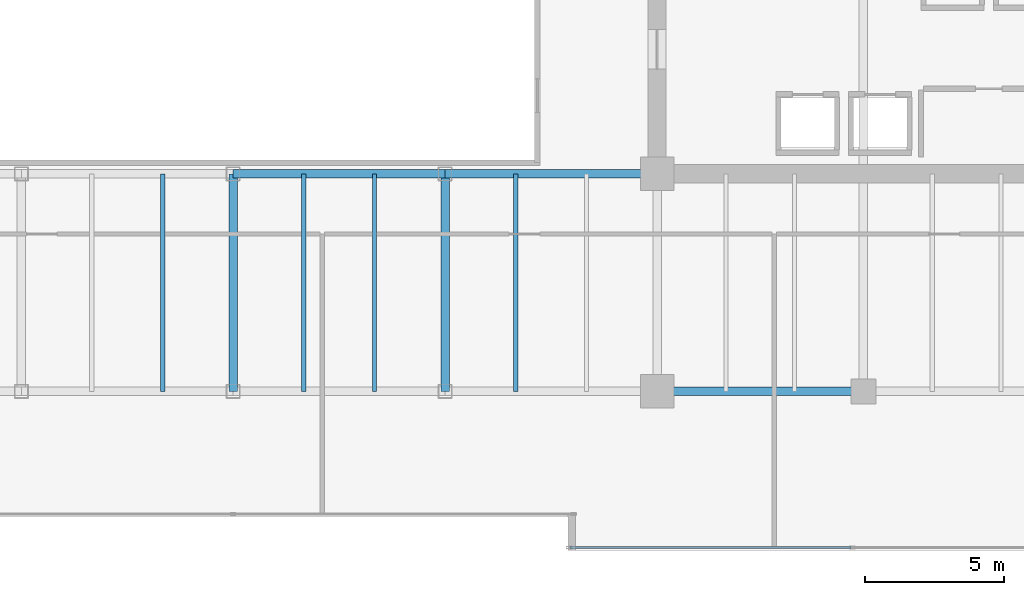
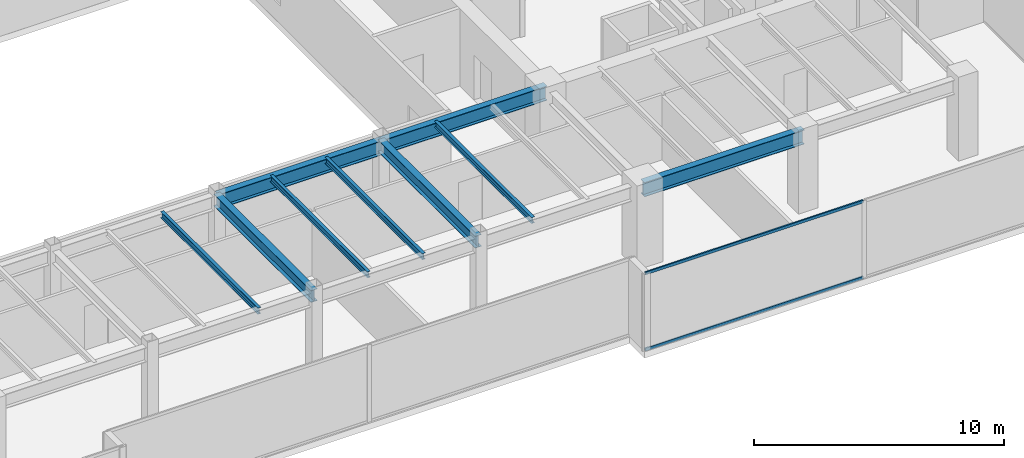
# One storey, part 11 of 30: 9 beams, 2 members, 1 element without a shape of its own.
"""IFC4 building model written with IfcOpenShell, lengths in metres."""

from ifc_helpers import new_model, si_unit, direction, frame, origin, origin_2d, place, context, subcontext, project, spatial, hollow_rectangle, i_section, extrude, source, transform, mapped, material, layer, layer_set, material_profile, profile_set, type_object, type_shapes, element, aggregate, save


model = new_model("IFC4")

# Units and contexts
model_context = context("Model", 3, precision=1e-05, world=origin(), true_north=direction((0.0, 1.0)))
body_context = subcontext(model_context, "Body", "Model", "MODEL_VIEW")
ifc_project = project(units=[si_unit("LENGTHUNIT", "METRE"), si_unit("AREAUNIT", "SQUARE_METRE"), si_unit("VOLUMEUNIT", "CUBIC_METRE"), si_unit("PLANEANGLEUNIT", "RADIAN"), si_unit("MASSUNIT", "GRAM", prefix="KILO")], contexts=[model_context])

# Site, building, storey
site_placement = place(None, origin())
site = spatial("IfcSite", under=ifc_project, at=site_placement, CompositionType="ELEMENT")
building_placement = place(site_placement, origin())
building = spatial("IfcBuilding", under=site, at=building_placement, Name="Haelvirn Gate Laboratories", CompositionType="ELEMENT")
storey_placement = place(building_placement, frame((0.0, 0.0, 170.699951171875)))
storey = spatial("IfcBuildingStorey", under=building, at=storey_placement, Name="L41", CompositionType="ELEMENT", Elevation=170.699951171875)

# Beams
ifc_material_1 = material(Name="Steel SM355", Category="steel")
ifc_material_profile_1 = material_profile(ifc_material_1, i_section(OverallWidth=0.300048828125, OverallDepth=0.699951171875, WebThickness=0.012939453125, FlangeThickness=0.02392578125, at=origin_2d()), Name="H-700x300x13x24")
ifc_profile_set_1 = profile_set([ifc_material_profile_1], Name="Steel SM355")
beam_type_1 = type_object("IfcBeamType", Name="BM-G-700", PredefinedType="BEAM", material=ifc_profile_set_1)
shared_shape_1 = source(origin(), body_context, "Body", "SweptSolid", [
    extrude(i_section(OverallWidth=0.300048828125, OverallDepth=0.699951171875, WebThickness=0.012939453125, FlangeThickness=0.02392578125, at=origin_2d()), origin(), (0.0, 0.0, 1.0), 7.39990234375),
])
beam_placement = place(storey_placement, frame((52.60009765625, 7.0, 3.43994140625), z_axis=(1.0, 0.0, 0.0), x_axis=(0.0, 1.0, 0.0)))
element("IfcBeam", 1, at=beam_placement, inside=storey, type_object=beam_type_1, Name="L41 Primary Girder Y7.0 (52.6-60.0)", PredefinedType="BEAM", context=body_context, shape_type="MappedRepresentation", body=[
    mapped(shared_shape_1, transform((0.0, 0.0, 0.0), scale=1.0)),
])
shared_shape_2 = source(origin(), body_context, "Body", "SweptSolid", [
    extrude(i_section(OverallWidth=0.300048828125, OverallDepth=0.699951171875, WebThickness=0.012939453125, FlangeThickness=0.02392578125, at=origin_2d()), origin(), (0.0, 0.0, 1.0), 7.60009765625),
])
type_shapes(beam_type_1, [shared_shape_1, shared_shape_2])
for number, where, z_axis, x_axis, name in (
    (2, (37.39990234375, 14.800048828125, 3.43994140625), (1.0, 0.0, 0.0), (0.0, 1.0, 0.0), "L41 Primary Girder Y14.8 (37.4-45.0)"),
    (3, (45.0, 14.800048828125, 3.43994140625), (1.0, 0.0, 0.0), (0.0, 1.0, 0.0), "L41 Primary Girder Y14.8 (45.0-52.6)"),
):
    element("IfcBeam", number, at=place(storey_placement, frame(where, z_axis=z_axis, x_axis=x_axis)), inside=storey, type_object=beam_type_1, Name=name, PredefinedType="BEAM", context=body_context, shape_type="MappedRepresentation", body=[
        mapped(shared_shape_2, transform((0.0, 0.0, 0.0), scale=1.0)),
    ])
ifc_material_profile_2 = material_profile(ifc_material_1, i_section(OverallWidth=0.14990234375, OverallDepth=0.300048828125, WebThickness=0.006591796875, FlangeThickness=0.009033203125, at=origin_2d()), Name="H-300x150x6.5x9")
ifc_profile_set_2 = profile_set([ifc_material_profile_2], Name="Steel SM355")
beam_type_2 = type_object("IfcBeamType", Name="BM-J-300", PredefinedType="JOIST", material=ifc_profile_set_2)
shared_shape_3 = source(origin(), body_context, "Body", "SweptSolid", [
    extrude(i_section(OverallWidth=0.14990234375, OverallDepth=0.300048828125, WebThickness=0.006591796875, FlangeThickness=0.009033203125, at=origin_2d()), origin(), (0.0, 0.0, 1.0), 7.800048828125),
])
type_shapes(beam_type_2, [shared_shape_3])
for number, where, z_axis, x_axis, name in (
    (4, (34.8701171875, 7.0, 3.64013671875), (0.0, 1.0, 0.0), (-1.0, 0.0, 0.0), "L41 Composite Lab Joist South X34.87"),
    (5, (39.929931640625, 7.0, 3.64013671875), (0.0, 1.0, 0.0), (-1.0, 0.0, 0.0), "L41 Composite Lab Joist South X39.93"),
    (6, (42.469970703125, 7.0, 3.64013671875), (0.0, 1.0, 0.0), (-1.0, 0.0, 0.0), "L41 Composite Lab Joist South X42.47"),
    (7, (47.530029296875, 7.0, 3.64013671875), (0.0, 1.0, 0.0), (-1.0, 0.0, 0.0), "L41 Composite Lab Joist South X47.53"),
):
    element("IfcBeam", number, at=place(storey_placement, frame(where, z_axis=z_axis, x_axis=x_axis)), inside=storey, type_object=beam_type_2, Name=name, PredefinedType="JOIST", context=body_context, shape_type="MappedRepresentation", body=[
        mapped(shared_shape_3, transform((0.0, 0.0, 0.0), scale=1.0)),
    ])
ifc_material_profile_3 = material_profile(ifc_material_1, i_section(OverallWidth=0.300048828125, OverallDepth=0.587890625, WebThickness=0.011962890625, FlangeThickness=0.02001953125, at=origin_2d()), Name="H-588x300x12x20")
ifc_profile_set_3 = profile_set([ifc_material_profile_3], Name="Steel SM355")
beam_type_3 = type_object("IfcBeamType", Name="BM-G-588", PredefinedType="BEAM", material=ifc_profile_set_3)
shared_shape_4 = source(origin(), body_context, "Body", "SweptSolid", [
    extrude(i_section(OverallWidth=0.300048828125, OverallDepth=0.587890625, WebThickness=0.011962890625, FlangeThickness=0.02001953125, at=origin_2d()), origin(), (0.0, 0.0, 1.0), 7.800048828125),
])
type_shapes(beam_type_3, [shared_shape_4])
for number, where, z_axis, x_axis, name in (
    (8, (37.39990234375, 7.0, 3.49609375), (0.0, 1.0, 0.0), (-1.0, 0.0, 0.0), "L41 Frame Girder X37.4 (7.0-14.8)"),
    (9, (45.0, 7.0, 3.49609375), (0.0, 1.0, 0.0), (-1.0, 0.0, 0.0), "L41 Frame Girder X45.0 (7.0-14.8)"),
):
    element("IfcBeam", number, at=place(storey_placement, frame(where, z_axis=z_axis, x_axis=x_axis)), inside=storey, type_object=beam_type_3, Name=name, PredefinedType="BEAM", context=body_context, shape_type="MappedRepresentation", body=[
        mapped(shared_shape_4, transform((0.0, 0.0, 0.0), scale=1.0)),
    ])

# Curtain wall, members
ifc_material_2 = material(Name="Anodised bronze unitised aluminium & triple low-E glass", Category="aluminium")
ifc_layer = layer(ifc_material_2, 0.179931640625, Name="CW-SYS-3")
ifc_layer_set = layer_set([ifc_layer], Name="Anodised bronze unitised aluminium & triple low-E glass")
curtain_wall_type = type_object("IfcCurtainWallType", Name="CW-SYS-3", PredefinedType="NOTDEFINED", material=ifc_layer_set)
curtain_wall_placement = place(storey_placement, origin())
curtain_wall = element("IfcCurtainWall", 10, at=curtain_wall_placement, inside=storey, type_object=curtain_wall_type, Name="L41 Unitised Curtain Wall CW-L41-P0-E04-1", PredefinedType="NOTDEFINED")
ifc_material_3 = material(Name="Extruded aluminium 6063-T6 (anodised bronze)", Category="aluminium")
ifc_material_profile_4 = material_profile(ifc_material_3, hollow_rectangle(XDim=0.06494140625, YDim=0.139892578125, WallThickness=0.00390625, at=origin_2d()), Name="CWT-140x65x4")
ifc_profile_set_4 = profile_set([ifc_material_profile_4], Name="Extruded aluminium 6063-T6 (anodised bronze)")
member_type = type_object("IfcMemberType", Name="CWT-T140", PredefinedType="USERDEFINED", material=ifc_profile_set_4)
shared_shape_5 = source(origin(), body_context, "Body", "SweptSolid", [
    extrude(hollow_rectangle(XDim=0.06494140625, YDim=0.139892578125, WallThickness=0.00390625, at=origin_2d()), origin(), (0.0, 0.0, 1.0), 10.08740234375),
])
type_shapes(member_type, [shared_shape_5])
member_1_placement = place(storey_placement, frame((49.47509765625, 1.39990234375, 0.032470703125), z_axis=(1.0, 0.0, 0.0), x_axis=(0.0, 1.0, 0.0)))
member_1 = element("IfcMember", 11, at=member_1_placement, type_object=member_type, Name="CW3 transom 1.1", ObjectType="TRANSOM", PredefinedType="USERDEFINED", context=body_context, shape_type="MappedRepresentation", body=[
    mapped(shared_shape_5, transform((0.0, 0.0, 0.0), scale=1.0)),
])
member_2_placement = place(storey_placement, frame((49.47509765625, 1.39990234375, 3.757568359375), z_axis=(1.0, 0.0, 0.0), x_axis=(0.0, 1.0, 0.0)))
member_2 = element("IfcMember", 12, at=member_2_placement, type_object=member_type, Name="CW3 transom 1.2", ObjectType="TRANSOM", PredefinedType="USERDEFINED", context=body_context, shape_type="MappedRepresentation", body=[
    mapped(shared_shape_5, transform((0.0, 0.0, 0.0), scale=1.0)),
])
aggregate(curtain_wall, [member_1, member_2])

save(model, "model.ifc")
